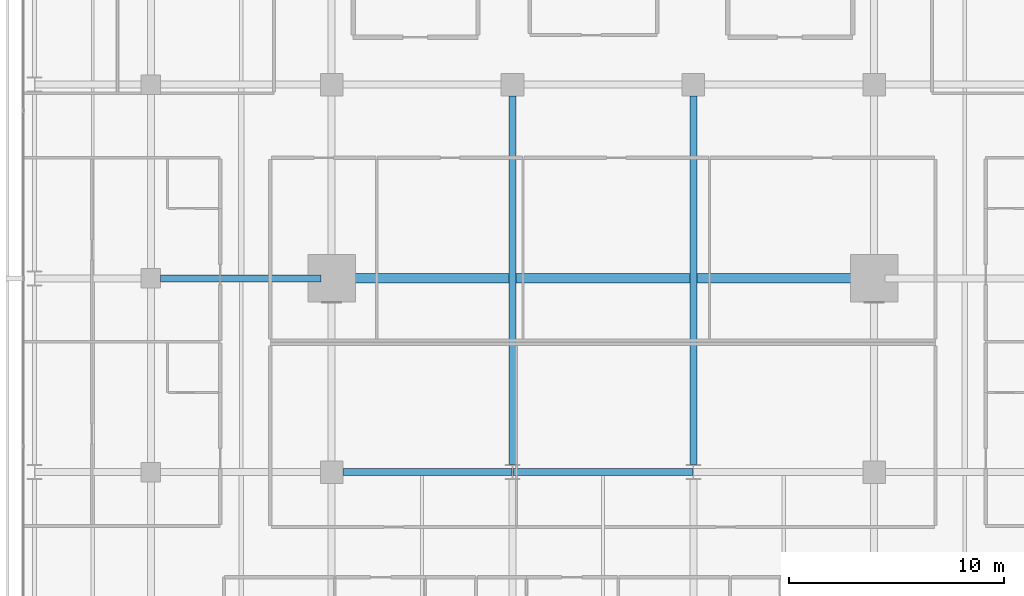
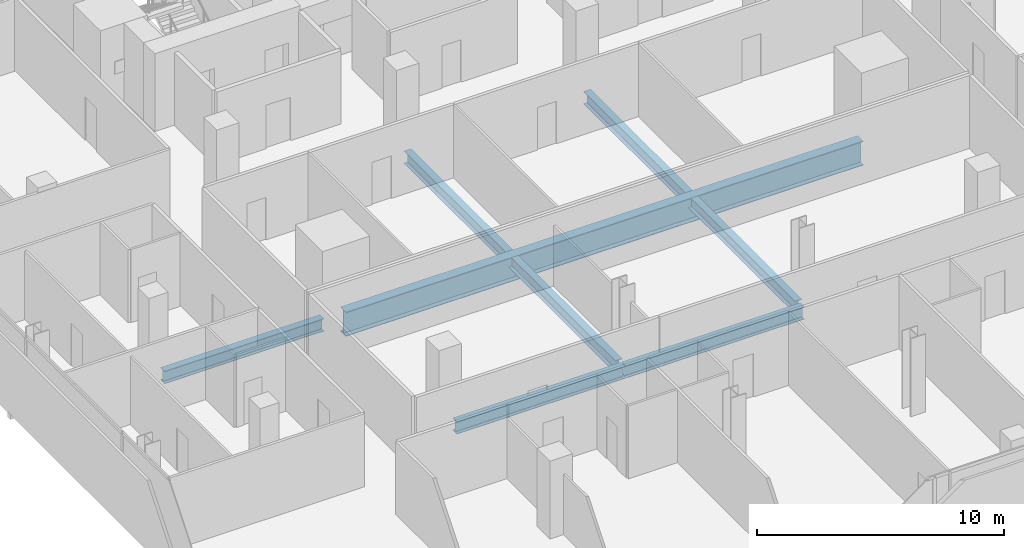
# One storey, part 13 of 39: 6 beams.
"""IFC4 building model written with IfcOpenShell, lengths in metres."""

from ifc_helpers import new_model, si_unit, direction, frame, origin, origin_2d, place, context, subcontext, project, spatial, i_section, extrude, material, material_profile, profile_set, type_object, element, save


model = new_model("IFC4")

# Units and contexts
model_context = context("Model", 3, precision=1e-05, world=origin(), true_north=direction((0.0, 1.0)))
body_context = subcontext(model_context, "Body", "Model", "MODEL_VIEW")
ifc_project = project(units=[si_unit("LENGTHUNIT", "METRE"), si_unit("AREAUNIT", "SQUARE_METRE"), si_unit("VOLUMEUNIT", "CUBIC_METRE"), si_unit("PLANEANGLEUNIT", "RADIAN"), si_unit("MASSUNIT", "GRAM", prefix="KILO")], contexts=[model_context])

# Site, building, storey
site_placement = place(None, origin())
site = spatial("IfcSite", under=ifc_project, at=site_placement, CompositionType="ELEMENT")
building_placement = place(site_placement, origin())
building = spatial("IfcBuilding", under=site, at=building_placement, Name="Maruvema Waterfront Hotel and Observation Tower", CompositionType="ELEMENT")
storey_placement = place(building_placement, frame((0.0, 0.0, 65.449951171875)))
storey = spatial("IfcBuildingStorey", under=building, at=storey_placement, Name="L15", CompositionType="ELEMENT", Elevation=65.449951171875)

# Beams
ifc_material_1 = material(Name="Steel ASTM A572 Grade 50", Category="steel")
ifc_material_profile_1 = material_profile(ifc_material_1, i_section(OverallWidth=0.326904296875, OverallDepth=0.6220703125, WebThickness=0.015380859375, FlangeThickness=0.0244140625, FilletRadius=0.01806640625, at=origin_2d()), Name="W610x195.0")
ifc_profile_set_1 = profile_set([ifc_material_profile_1], Name="Steel ASTM A572 Grade 50")
beam_type_1 = type_object("IfcBeamType", Name="Primary Floor Girder W610x195.0", PredefinedType="BEAM", material=ifc_profile_set_1)
beam_1_placement = place(storey_placement, frame((25.72509765625, 18.0, -0.551025390625), z_axis=(1.0, 0.0, 0.0), x_axis=(0.0, 1.0, 0.0)))
element("IfcBeam", 1, at=beam_1_placement, inside=storey, type_object=beam_type_1, Name="L15 Floor Girder EW-15", PredefinedType="BEAM", context=body_context, shape_type="SweptSolid", body=[
    extrude(i_section(OverallWidth=0.326904296875, OverallDepth=0.6220703125, WebThickness=0.015380859375, FlangeThickness=0.0244140625, FilletRadius=0.01806640625, at=origin_2d()), origin(), (0.0, 0.0, 1.0), 7.86083984375),
])
beam_2_placement = place(storey_placement, frame((33.614013671875, 18.0, -0.551025390625), z_axis=(1.0, 0.0, 0.0), x_axis=(0.0, 1.0, 0.0)))
element("IfcBeam", 2, at=beam_2_placement, inside=storey, type_object=beam_type_1, Name="L15 Floor Girder EW-16", PredefinedType="BEAM", context=body_context, shape_type="SweptSolid", body=[
    extrude(i_section(OverallWidth=0.326904296875, OverallDepth=0.6220703125, WebThickness=0.015380859375, FlangeThickness=0.0244140625, FilletRadius=0.01806640625, at=origin_2d()), origin(), (0.0, 0.0, 1.0), 8.3720703125),
])
beam_3_placement = place(storey_placement, frame((17.25, 27.0, -0.551025390625), z_axis=(1.0, 0.0, 0.0), x_axis=(0.0, 1.0, 0.0)))
element("IfcBeam", 3, at=beam_3_placement, inside=storey, type_object=beam_type_1, Name="L15 Floor Girder EW-21", PredefinedType="BEAM", context=body_context, shape_type="SweptSolid", body=[
    extrude(i_section(OverallWidth=0.326904296875, OverallDepth=0.6220703125, WebThickness=0.015380859375, FlangeThickness=0.0244140625, FilletRadius=0.01806640625, at=origin_2d()), origin(), (0.0, 0.0, 1.0), 7.449951171875),
])
for number, where, z_axis, x_axis, name in (
    (4, (33.60009765625, 18.35009765625, -0.551025390625), (0.0, 1.0, 0.0), (-1.0, 0.0, 0.0), "L15 Floor Girder NS-18"),
    (5, (42.0, 18.35009765625, -0.551025390625), (0.0, 1.0, 0.0), (-1.0, 0.0, 0.0), "L15 Floor Girder NS-21"),
):
    element("IfcBeam", number, at=place(storey_placement, frame(where, z_axis=z_axis, x_axis=x_axis)), inside=storey, type_object=beam_type_1, Name=name, PredefinedType="BEAM", context=body_context, shape_type="SweptSolid", body=[
        extrude(i_section(OverallWidth=0.326904296875, OverallDepth=0.6220703125, WebThickness=0.015380859375, FlangeThickness=0.0244140625, FilletRadius=0.01806640625, at=origin_2d()), origin(), (0.0, 0.0, 1.0), 17.125),
    ])
ifc_material_2 = material(Name="Steel ABNT NBR 7007 AR 415 (ASTM A572 Grade 50)", Category="steel")
ifc_material_profile_2 = material_profile(ifc_material_2, i_section(OverallWidth=0.449951171875, OverallDepth=1.199951171875, WebThickness=0.01904296875, FlangeThickness=0.031982421875, at=origin_2d()), Name="VS1200x366")
ifc_profile_set_2 = profile_set([ifc_material_profile_2], Name="Steel ABNT NBR 7007 AR 415 (ASTM A572 Grade 50)")
beam_type_2 = type_object("IfcBeamType", Name="Upper Setback Transfer Girder VS1200x366", PredefinedType="USERDEFINED", material=ifc_profile_set_2)
beam_4_placement = place(storey_placement, frame((25.699951171875, 27.0, -0.83984375), z_axis=(1.0, 0.0, 0.0), x_axis=(0.0, 1.0, 0.0)))
element("IfcBeam", 6, at=beam_4_placement, inside=storey, type_object=beam_type_2, Name="L15 Floor Girder EW-22", ObjectType="TRANSFER GIRDER", PredefinedType="USERDEFINED", context=body_context, shape_type="SweptSolid", body=[
    extrude(i_section(OverallWidth=0.449951171875, OverallDepth=1.199951171875, WebThickness=0.01904296875, FlangeThickness=0.031982421875, at=origin_2d()), origin(), (0.0, 0.0, 1.0), 24.199951171875),
])

save(model, "model.ifc")
